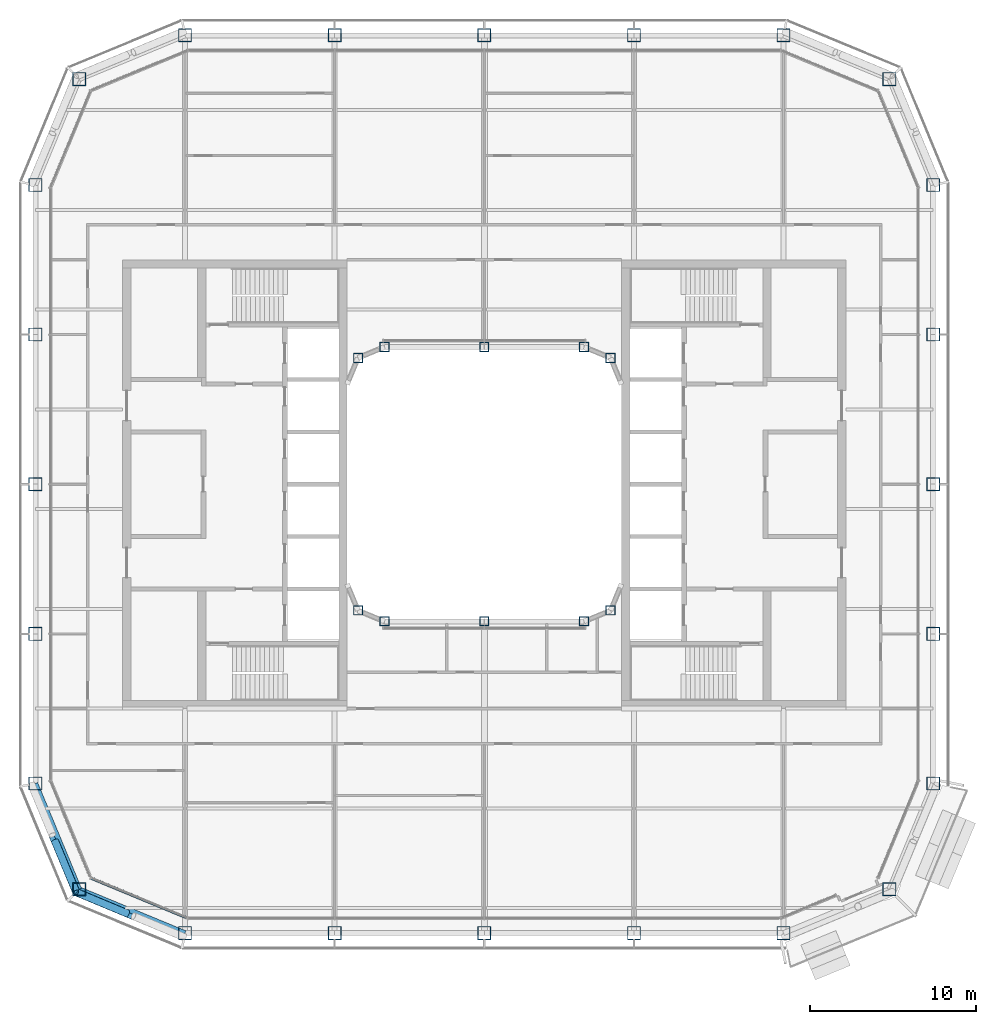
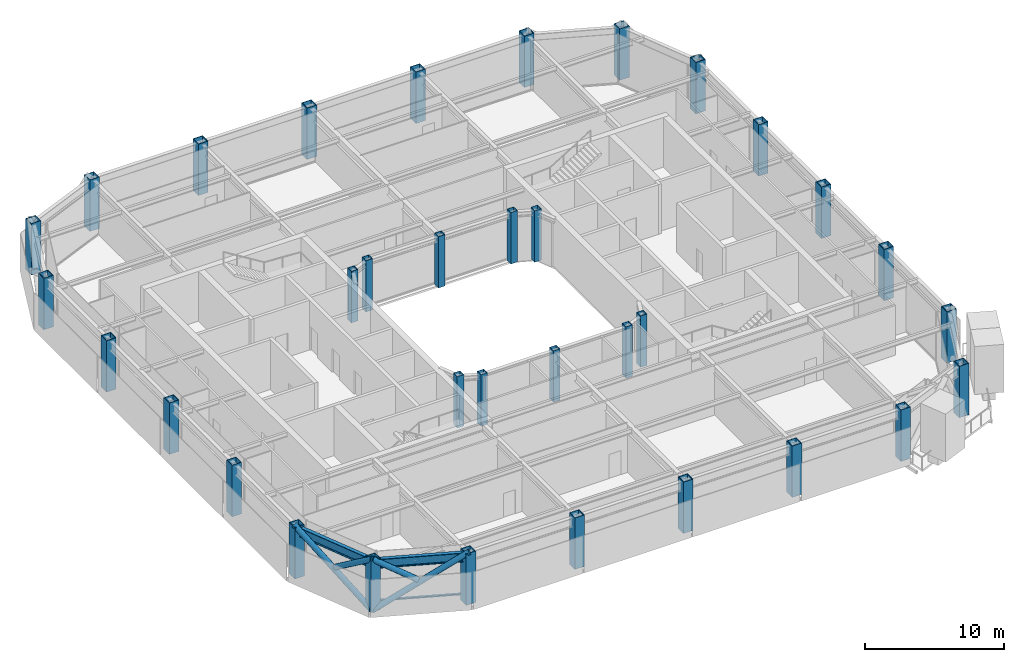
# One storey, part 1 of 23: 34 columns, 5 members, 2 beams, 1 element without a shape of its own.
"""IFC4 building model written with IfcOpenShell, lengths in metres."""

from ifc_helpers import new_model, si_unit, direction, frame, origin, origin_2d, place, context, subcontext, project, spatial, rectangle, hollow_rectangle, hollow_circle, i_section, extrude, material, layer, layer_set, material_profile, profile_set, type_object, element, aggregate, save


model = new_model("IFC4")

# Units and contexts
model_context = context("Model", 3, precision=1e-05, world=origin(), true_north=direction((0.0, 1.0)))
body_context = subcontext(model_context, "Body", "Model", "MODEL_VIEW")
ifc_project = project(units=[si_unit("LENGTHUNIT", "METRE"), si_unit("AREAUNIT", "SQUARE_METRE"), si_unit("VOLUMEUNIT", "CUBIC_METRE"), si_unit("PLANEANGLEUNIT", "RADIAN"), si_unit("MASSUNIT", "GRAM", prefix="KILO")], contexts=[model_context])

# Site, building, storey
site_placement = place(None, origin())
site = spatial("IfcSite", under=ifc_project, at=site_placement, CompositionType="ELEMENT")
building_placement = place(site_placement, origin())
building = spatial("IfcBuilding", under=site, at=building_placement, Name="Siwar Civic Tower", CompositionType="ELEMENT")
storey_placement = place(building_placement, frame((0.0, 0.0, 237.699951171875)))
storey = spatial("IfcBuildingStorey", under=building, at=storey_placement, Name="L51", CompositionType="ELEMENT", Elevation=237.699951171875)

# Columns
ifc_material_1 = material(Name="Steel S355", Category="steel")
ifc_material_profile_1 = material_profile(ifc_material_1, hollow_rectangle(XDim=0.800048828125, YDim=0.800048828125, WallThickness=0.044921875, at=origin_2d()), Name="BOX800x800x45")
ifc_profile_set_1 = profile_set([ifc_material_profile_1], Name="Steel S355")
column_type_1 = type_object("IfcColumnType", Name="STR-COL-BOX800x800x45", PredefinedType="COLUMN", material=ifc_profile_set_1)
for number, where, z_axis, x_axis, name in (
    (1, (-18.0, -27.0, 0.0), (0.0, 0.0, 1.0), (1.0, 0.0, 0.0), "L51/col/S-0"),
    (2, (-9.0, -27.0, 0.0), (0.0, 0.0, 1.0), (1.0, 0.0, 0.0), "L51/col/S-1"),
    (3, (0.0, -27.0, 0.0), (0.0, 0.0, 1.0), (1.0, 0.0, 0.0), "L51/col/S-2"),
    (4, (9.0, -27.0, 0.0), (0.0, 0.0, 1.0), (1.0, 0.0, 0.0), "L51/col/S-3"),
    (5, (18.0, -27.0, 0.0), (0.0, 0.0, 1.0), (1.0, 0.0, 0.0), "L51/col/SE1-0"),
    (6, (24.364013671875, -24.364013671875, 0.0), (0.0, 0.0, 1.0), (1.0, 0.0, 0.0), "L51/col/SE2-0"),
    (7, (27.0, -18.0, 0.0), (0.0, 0.0, 1.0), (1.0, 0.0, 0.0), "L51/col/E-0"),
    (8, (27.0, -9.0, 0.0), (0.0, 0.0, 1.0), (1.0, 0.0, 0.0), "L51/col/E-1"),
    (9, (27.0, 0.0, 0.0), (0.0, 0.0, 1.0), (1.0, 0.0, 0.0), "L51/col/E-2"),
    (10, (27.0, 9.0, 0.0), (0.0, 0.0, 1.0), (1.0, 0.0, 0.0), "L51/col/E-3"),
    (11, (27.0, 18.0, 0.0), (0.0, 0.0, 1.0), (1.0, 0.0, 0.0), "L51/col/NE1-0"),
    (12, (24.364013671875, 24.364013671875, 0.0), (0.0, 0.0, 1.0), (1.0, 0.0, 0.0), "L51/col/NE2-0"),
    (13, (18.0, 27.0, 0.0), (0.0, 0.0, 1.0), (1.0, 0.0, 0.0), "L51/col/N-0"),
    (14, (9.0, 27.0, 0.0), (0.0, 0.0, 1.0), (1.0, 0.0, 0.0), "L51/col/N-1"),
    (15, (0.0, 27.0, 0.0), (0.0, 0.0, 1.0), (1.0, 0.0, 0.0), "L51/col/N-2"),
    (16, (-9.0, 27.0, 0.0), (0.0, 0.0, 1.0), (1.0, 0.0, 0.0), "L51/col/N-3"),
    (17, (-18.0, 27.0, 0.0), (0.0, 0.0, 1.0), (1.0, 0.0, 0.0), "L51/col/NW1-0"),
    (18, (-24.364013671875, 24.364013671875, 0.0), (0.0, 0.0, 1.0), (1.0, 0.0, 0.0), "L51/col/NW2-0"),
    (19, (-27.0, 18.0, 0.0), (0.0, 0.0, 1.0), (1.0, 0.0, 0.0), "L51/col/W-0"),
    (20, (-27.0, 9.0, 0.0), (0.0, 0.0, 1.0), (1.0, 0.0, 0.0), "L51/col/W-1"),
    (21, (-27.0, 0.0, 0.0), (0.0, 0.0, 1.0), (1.0, 0.0, 0.0), "L51/col/W-2"),
    (22, (-27.0, -9.0, 0.0), (0.0, 0.0, 1.0), (1.0, 0.0, 0.0), "L51/col/W-3"),
    (23, (-27.0, -18.0, 0.0), (0.0, 0.0, 1.0), (1.0, 0.0, 0.0), "L51/col/SW1-0"),
    (24, (-24.364013671875, -24.364013671875, 0.0), (0.0, 0.0, 1.0), (1.0, 0.0, 0.0), "L51/col/SW2-0"),
):
    element("IfcColumn", number, at=place(storey_placement, frame(where, z_axis=z_axis, x_axis=x_axis)), inside=storey, type_object=column_type_1, Name=name, PredefinedType="COLUMN", context=body_context, shape_type="SweptSolid", body=[
        extrude(hollow_rectangle(XDim=0.800048828125, YDim=0.800048828125, WallThickness=0.044921875, at=origin_2d()), origin(), (0.0, 0.0, 1.0), 4.5),
    ])
ifc_material_2 = material(Name="Steel S355", Category="steel")
ifc_material_profile_2 = material_profile(ifc_material_2, hollow_rectangle(XDim=0.550048828125, YDim=0.550048828125, WallThickness=0.028076171875, at=origin_2d()), Name="BOX550x550x28")
ifc_profile_set_2 = profile_set([ifc_material_profile_2], Name="Steel S355")
column_type_2 = type_object("IfcColumnType", Name="STR-ICOL-BOX550x550x28", PredefinedType="COLUMN", material=ifc_profile_set_2)
for number, where, z_axis, x_axis, name in (
    (25, (-7.591064453125, -7.591064453125, 0.0), (0.0, 0.0, 1.0), (1.0, 0.0, 0.0), "L51/col/IS-0"),
    (26, (-6.0, -8.25, 0.0), (0.0, 0.0, 1.0), (1.0, 0.0, 0.0), "L51/col/IS-1"),
    (27, (0.0, -8.25, 0.0), (0.0, 0.0, 1.0), (1.0, 0.0, 0.0), "L51/col/IS-2"),
    (28, (6.0, -8.25, 0.0), (0.0, 0.0, 1.0), (1.0, 0.0, 0.0), "L51/col/IS-3"),
    (29, (7.591064453125, -7.591064453125, 0.0), (0.0, 0.0, 1.0), (1.0, 0.0, 0.0), "L51/col/IS-4"),
    (30, (-7.591064453125, 7.591064453125, 0.0), (0.0, 0.0, 1.0), (1.0, 0.0, 0.0), "L51/col/IN-0"),
    (31, (-6.0, 8.25, 0.0), (0.0, 0.0, 1.0), (1.0, 0.0, 0.0), "L51/col/IN-1"),
    (32, (0.0, 8.25, 0.0), (0.0, 0.0, 1.0), (1.0, 0.0, 0.0), "L51/col/IN-2"),
    (33, (6.0, 8.25, 0.0), (0.0, 0.0, 1.0), (1.0, 0.0, 0.0), "L51/col/IN-3"),
    (34, (7.591064453125, 7.591064453125, 0.0), (0.0, 0.0, 1.0), (1.0, 0.0, 0.0), "L51/col/IN-4"),
):
    element("IfcColumn", number, at=place(storey_placement, frame(where, z_axis=z_axis, x_axis=x_axis)), inside=storey, type_object=column_type_2, Name=name, PredefinedType="COLUMN", context=body_context, shape_type="SweptSolid", body=[
        extrude(hollow_rectangle(XDim=0.550048828125, YDim=0.550048828125, WallThickness=0.028076171875, at=origin_2d()), origin(), (0.0, 0.0, 1.0), 4.5),
    ])

# Curtain wall, member
ifc_material_3 = material(Name="Aluminium clad insulated panel", Category="aluminium")
ifc_layer = layer(ifc_material_3, 0.179931640625)
ifc_layer_set = layer_set([ifc_layer], Name="Aluminium clad insulated panel")
curtain_wall_type = type_object("IfcCurtainWallType", Name="ENV-CW-CX", PredefinedType="NOTDEFINED", material=ifc_layer_set)
curtain_wall_placement = place(storey_placement, origin())
curtain_wall = element("IfcCurtainWall", 35, at=curtain_wall_placement, inside=storey, type_object=curtain_wall_type, Name="Curtain wall C SW2", PredefinedType="NOTDEFINED")
ifc_material_4 = material(Name="Aluminium 6063-T6", Category="aluminium")
ifc_material_profile_3 = material_profile(ifc_material_4, rectangle(XDim=0.179931640625, YDim=0.10009765625, at=origin_2d()), Name="AL 180x100")
ifc_profile_set_3 = profile_set([ifc_material_profile_3], Name="Aluminium 6063-T6")
member_type_1 = type_object("IfcMemberType", Name="ENV-TRANSOM-C", PredefinedType="USERDEFINED", material=ifc_profile_set_3)
member_1_placement = place(storey_placement, frame((-23.6474609375, -23.6865234375, 0.050048828125), z_axis=(0.923876246063, -0.382691366456, 0.0), x_axis=(0.382691366456, 0.923876246063, 0.0)))
member_1 = element("IfcMember", 36, at=member_1_placement, type_object=member_type_1, Name="Transom C SW2 1", ObjectType="TRANSOM", PredefinedType="USERDEFINED", context=body_context, shape_type="SweptSolid", body=[
    extrude(rectangle(XDim=0.179931640625, YDim=0.10009765625, at=origin_2d()), origin(), (0.0, 0.0, 1.0), 6.20166015625),
])
aggregate(curtain_wall, [member_1])

# Members
ifc_material_5 = material(Name="Steel S355", Category="steel")
ifc_material_profile_4 = material_profile(ifc_material_5, hollow_circle(Radius=0.228515625, WallThickness=0.02001953125, at=origin_2d()), Name="CHS457x20")
ifc_profile_set_4 = profile_set([ifc_material_profile_4], Name="Steel S355")
member_type_2 = type_object("IfcMemberType", Name="STR-BR-CHS457x20", PredefinedType="BRACE", material=ifc_profile_set_4)
member_2_placement = place(storey_placement, frame((-24.540771484375, -24.540771484375, 0.0), z_axis=(0.777554562952, -0.323905527954, 0.538975055633), x_axis=(0.384538969033, 0.923108759191, 0.0)))
element("IfcMember", 37, at=member_2_placement, inside=storey, type_object=member_type_2, Name="L51/brc/CSW1-11-0-1", PredefinedType="BRACE", context=body_context, shape_type="SweptSolid", body=[
    extrude(hollow_circle(Radius=0.228515625, WallThickness=0.02001953125, at=origin_2d()), origin(), (0.0, 0.0, 1.0), 8.34912109375),
])
member_3_placement = place(storey_placement, frame((-21.486572265625, -25.81298828125, 2.383056640625), z_axis=(-0.777572496853, 0.323895306243, 0.538955325357), x_axis=(-0.38452107079, -0.92311621485, 0.0)))
element("IfcMember", 38, at=member_3_placement, inside=storey, type_object=member_type_2, Name="L51/brc/CSW1-11-0-3", PredefinedType="BRACE", context=body_context, shape_type="SweptSolid", body=[
    extrude(hollow_circle(Radius=0.228515625, WallThickness=0.02001953125, at=origin_2d()), origin(), (0.0, 0.0, 1.0), 3.927978515625),
])
member_4_placement = place(storey_placement, frame((-24.540771484375, -24.540771484375, 0.0), z_axis=(-0.323905527954, 0.777554562952, 0.538975055633), x_axis=(-0.923108759191, -0.384538969033, 0.0)))
element("IfcMember", 39, at=member_4_placement, inside=storey, type_object=member_type_2, Name="L51/brc/CSW1-11-0-0", PredefinedType="BRACE", context=body_context, shape_type="SweptSolid", body=[
    extrude(hollow_circle(Radius=0.228515625, WallThickness=0.02001953125, at=origin_2d()), origin(), (0.0, 0.0, 1.0), 8.34912109375),
])
member_5_placement = place(storey_placement, frame((-25.81298828125, -21.486572265625, 2.383056640625), z_axis=(0.323895306243, -0.777572496853, 0.538955325357), x_axis=(0.92311621485, 0.38452107079, 0.0)))
element("IfcMember", 40, at=member_5_placement, inside=storey, type_object=member_type_2, Name="L51/brc/CSW1-11-0-5", PredefinedType="BRACE", context=body_context, shape_type="SweptSolid", body=[
    extrude(hollow_circle(Radius=0.228515625, WallThickness=0.02001953125, at=origin_2d()), origin(), (0.0, 0.0, 1.0), 3.927978515625),
])

# Beams
ifc_material_6 = material(Name="Steel S355", Category="steel")
ifc_material_profile_5 = material_profile(ifc_material_6, i_section(OverallWidth=0.300048828125, OverallDepth=0.800048828125, WebThickness=0.017578125, FlangeThickness=0.032958984375, FilletRadius=0.030029296875, at=origin_2d()), Name="HEB800")
ifc_profile_set_5 = profile_set([ifc_material_profile_5], Name="Steel S355")
beam_type = type_object("IfcBeamType", Name="STR-SB-HEB800", PredefinedType="BEAM", material=ifc_profile_set_5)
for number, where, z_axis, x_axis, name in (
    (41, (-27.0, -18.0, 3.949951171875), (0.382674207535, -0.923883353507, 0.0), (0.923883353507, 0.382674207535, 0.0), "L51/bm/SSW1-0"),
    (42, (-24.364013671875, -24.364013671875, 3.949951171875), (0.923883353507, -0.382674207535, 0.0), (0.382674207535, 0.923883353507, 0.0), "L51/bm/SSW2-0"),
):
    element("IfcBeam", number, at=place(storey_placement, frame(where, z_axis=z_axis, x_axis=x_axis)), inside=storey, type_object=beam_type, Name=name, PredefinedType="BEAM", context=body_context, shape_type="SweptSolid", body=[
        extrude(i_section(OverallWidth=0.300048828125, OverallDepth=0.800048828125, WebThickness=0.017578125, FlangeThickness=0.032958984375, FilletRadius=0.030029296875, at=origin_2d()), origin(), (0.0, 0.0, 1.0), 6.888427734375),
    ])

save(model, "model.ifc")
